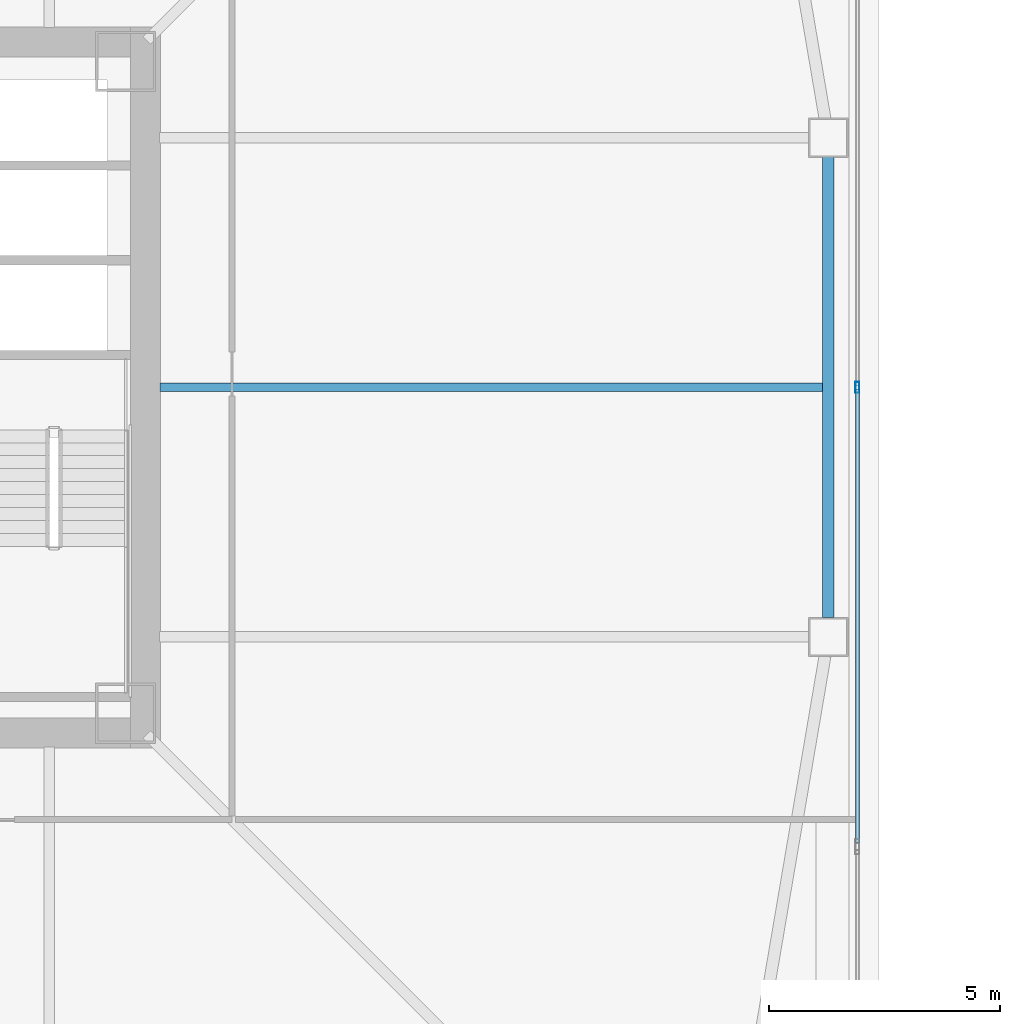
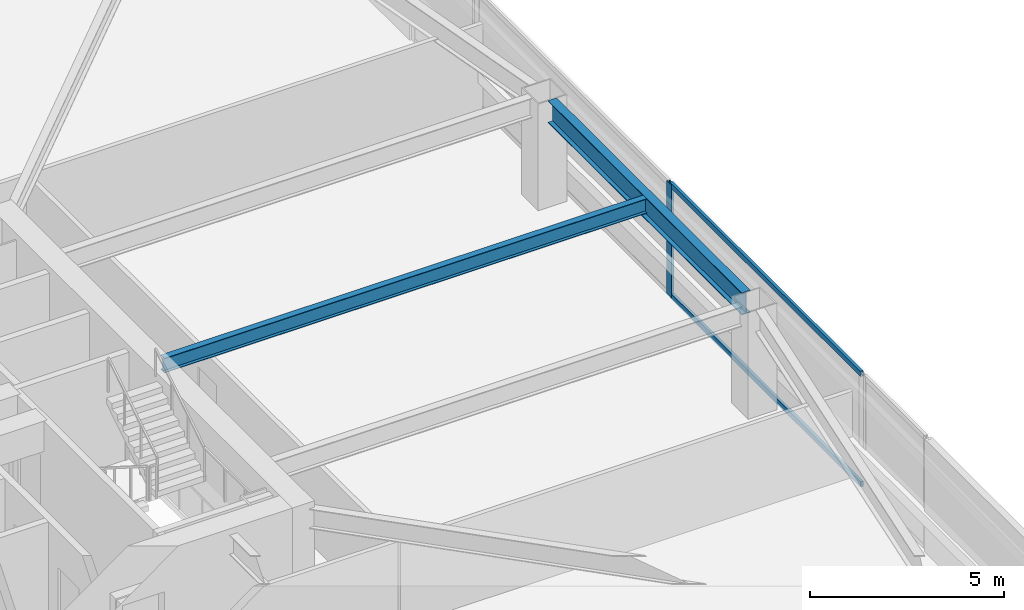
# One storey, part 11 of 46: 3 members, 2 beams, 1 element without a shape of its own.
"""IFC4 building model written with IfcOpenShell, lengths in metres."""

from ifc_helpers import new_model, si_unit, direction, frame, origin, origin_2d, place, context, subcontext, project, spatial, hollow_rectangle, i_section, extrude, material, material_profile, profile_set, type_object, element, aggregate, save


model = new_model("IFC4")

# Units and contexts
model_context = context("Model", 3, precision=1e-05, world=origin(), true_north=direction((0.0, 1.0)))
body_context = subcontext(model_context, "Body", "Model", "MODEL_VIEW")
ifc_project = project(units=[si_unit("LENGTHUNIT", "METRE"), si_unit("AREAUNIT", "SQUARE_METRE"), si_unit("VOLUMEUNIT", "CUBIC_METRE"), si_unit("PLANEANGLEUNIT", "RADIAN"), si_unit("MASSUNIT", "GRAM", prefix="KILO")], contexts=[model_context])

# Site, building, storey
site_placement = place(None, origin())
site = spatial("IfcSite", under=ifc_project, at=site_placement, CompositionType="ELEMENT")
building_placement = place(site_placement, origin())
building = spatial("IfcBuilding", under=site, at=building_placement, Name="Tashvorn Skyway Center", CompositionType="ELEMENT")
storey_placement = place(building_placement, frame((0.0, 0.0, 60.10009765625)))
storey = spatial("IfcBuildingStorey", under=building, at=storey_placement, Name="L15", CompositionType="ELEMENT", Elevation=60.10009765625)

# Beams
ifc_material_1 = material(Name="Steel ASTM A992 Grade 50", Category="steel")
ifc_material_profile_1 = material_profile(ifc_material_1, i_section(OverallWidth=0.19091796875, OverallDepth=0.4599609375, WebThickness=0.010009765625, FlangeThickness=0.01611328125, at=origin_2d()), Name="W18X55")
ifc_profile_set_1 = profile_set([ifc_material_profile_1], Name="Steel ASTM A992 Grade 50")
beam_type_1 = type_object("IfcBeamType", Name="BM-JOIST-W18X55", PredefinedType="JOIST", material=ifc_profile_set_1)
beam_1_placement = place(storey_placement, frame((49.7900390625, 32.0, 3.119873046875), z_axis=(1.0, 0.0, 0.0), x_axis=(0.0, 1.0, 0.0)))
element("IfcBeam", 1, at=beam_1_placement, inside=storey, type_object=beam_type_1, Name="Tower 1 L15 Secondary Composite Joist JE", PredefinedType="JOIST", context=body_context, shape_type="SweptSolid", body=[
    extrude(i_section(OverallWidth=0.19091796875, OverallDepth=0.4599609375, WebThickness=0.010009765625, FlangeThickness=0.01611328125, at=origin_2d()), origin(), (0.0, 0.0, 1.0), 14.33984375),
])
ifc_material_profile_2 = material_profile(ifc_material_1, i_section(OverallWidth=0.256103515625, OverallDepth=0.693115234375, WebThickness=0.014404296875, FlangeThickness=0.023681640625, at=origin_2d()), Name="W27X114")
ifc_profile_set_2 = profile_set([ifc_material_profile_2], Name="Steel ASTM A992 Grade 50")
beam_type_2 = type_object("IfcBeamType", Name="BM-SPANDREL-W27X114", PredefinedType="SPANDREL", material=ifc_profile_set_2)
beam_2_placement = place(storey_placement, frame((64.25, 27.02001953125, 3.00341796875), z_axis=(0.0, 1.0, 0.0), x_axis=(-1.0, 0.0, 0.0)))
element("IfcBeam", 2, at=beam_2_placement, inside=storey, type_object=beam_type_2, Name="Tower 1 L15 Spandrel Beam 05", PredefinedType="SPANDREL", context=body_context, shape_type="SweptSolid", body=[
    extrude(i_section(OverallWidth=0.256103515625, OverallDepth=0.693115234375, WebThickness=0.014404296875, FlangeThickness=0.023681640625, at=origin_2d()), origin(), (0.0, 0.0, 1.0), 9.9599609375),
])

# Curtain wall, members
ifc_material_2 = material(Name="Thermally broken bronze-anodized aluminium 6063-T6", Category="aluminium")
curtain_wall_type = type_object("IfcCurtainWallType", Name="CW-CW-Z1", PredefinedType="NOTDEFINED", material=ifc_material_2)
curtain_wall_placement = place(storey_placement, origin())
curtain_wall = element("IfcCurtainWall", 3, at=curtain_wall_placement, inside=storey, type_object=curtain_wall_type, Name="Tower 1 L15 East Unitised Curtain Wall Glazing Group 2", PredefinedType="NOTDEFINED")
ifc_material_profile_3 = material_profile(ifc_material_2, hollow_rectangle(XDim=0.0849609375, YDim=0.239990234375, WallThickness=0.0048828125, at=origin_2d()), Name="ALU-MULL-85x240")
ifc_profile_set_3 = profile_set([ifc_material_profile_3], Name="Thermally broken bronze-anodized aluminium 6063-T6")
member_type_1 = type_object("IfcMemberType", Name="CWM-CW-Z1", PredefinedType="MULLION", material=ifc_profile_set_3)
member_1_placement = place(storey_placement, frame((64.8798828125, 32.0, 0.0), z_axis=(0.0, 0.0, 1.0), x_axis=(1.0, 0.0, 0.0)))
member_1 = element("IfcMember", 4, at=member_1_placement, type_object=member_type_1, Name="CW-Z1 mullion 2", PredefinedType="MULLION", context=body_context, shape_type="SweptSolid", body=[
    extrude(hollow_rectangle(XDim=0.0849609375, YDim=0.239990234375, WallThickness=0.0048828125, at=origin_2d()), origin(), (0.0, 0.0, 1.0), 3.5498046875),
])
ifc_material_profile_4 = material_profile(ifc_material_2, hollow_rectangle(XDim=0.0849609375, YDim=0.1650390625, WallThickness=0.0048828125, at=origin_2d()), Name="ALU-TRAN-85x165")
ifc_profile_set_4 = profile_set([ifc_material_profile_4], Name="Thermally broken bronze-anodized aluminium 6063-T6")
member_type_2 = type_object("IfcMemberType", Name="CWT-CW-Z1", PredefinedType="USERDEFINED", material=ifc_profile_set_4)
member_2_placement = place(storey_placement, frame((64.8798828125, 31.95751953125, 0.04248046875), z_axis=(0.0, -1.0, 0.0), x_axis=(1.0, 0.0, 0.0)))
member_2 = element("IfcMember", 5, at=member_2_placement, type_object=member_type_2, Name="CW-Z1 transom 2.1", ObjectType="TRANSOM", PredefinedType="USERDEFINED", context=body_context, shape_type="SweptSolid", body=[
    extrude(hollow_rectangle(XDim=0.0849609375, YDim=0.1650390625, WallThickness=0.0048828125, at=origin_2d()), origin(), (0.0, 0.0, 1.0), 9.8125),
])
member_3_placement = place(storey_placement, frame((64.8798828125, 31.95751953125, 3.50732421875), z_axis=(0.0, -1.0, 0.0), x_axis=(1.0, 0.0, 0.0)))
member_3 = element("IfcMember", 6, at=member_3_placement, type_object=member_type_2, Name="CW-Z1 transom 2.2", ObjectType="TRANSOM", PredefinedType="USERDEFINED", context=body_context, shape_type="SweptSolid", body=[
    extrude(hollow_rectangle(XDim=0.0849609375, YDim=0.1650390625, WallThickness=0.0048828125, at=origin_2d()), origin(), (0.0, 0.0, 1.0), 9.8125),
])
aggregate(curtain_wall, [member_1, member_2, member_3])

save(model, "model.ifc")
